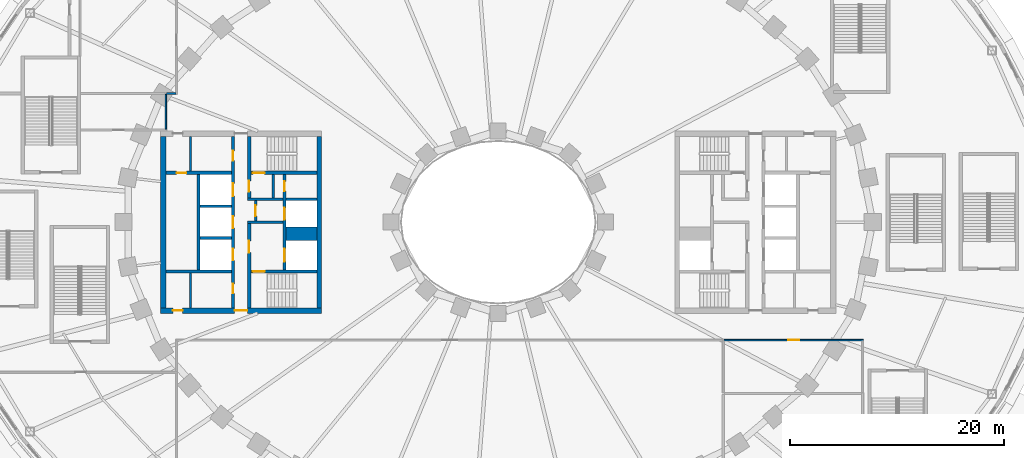
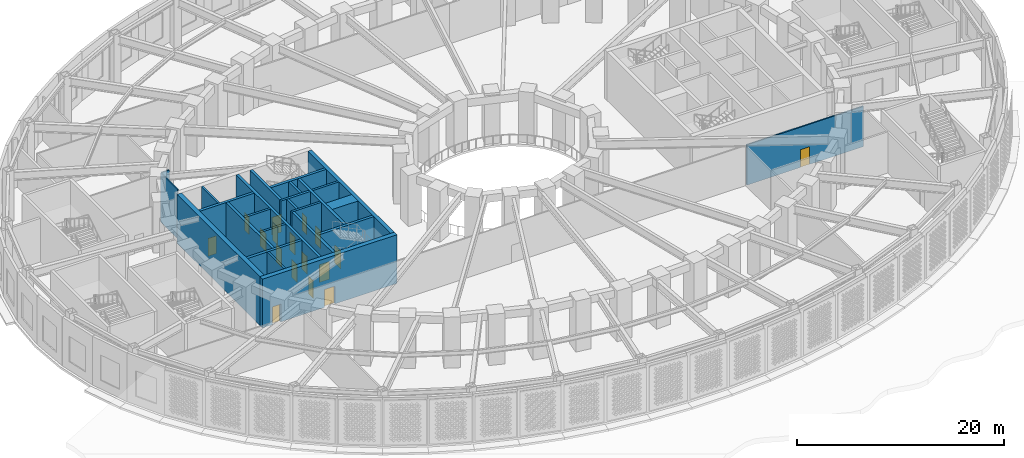
# One storey, part 23 of 74: 25 walls, 17 doors, 17 openings.
"""IFC4 building model written with IfcOpenShell, lengths in metres."""

import ifcopenshell
import ifcopenshell.guid

model = None  # the IFC model being written
_history = None  # IfcOwnerHistory: only IFC2X3 demands one
_inside = {}  # id of a spatial element -> (the spatial element, [elements in it])
_under = {}  # id of a project, library or spatial element -> (it, [spatial elements below it])
_declared = {}  # id of a project -> (the project, [libraries it declares])
_typed = {}  # id of a type object -> (the type object, [elements of that type])
_made_of = {}  # id of a material, layer set ... -> (it, [elements and type objects made of it])


def new_model(schema):
    """Start an empty IFC model of exactly this schema.

    Asked for "IFC4X3", IfcOpenShell would pick the latest addendum, in which some entities
    have other attributes; the version numbers below select the first issue.
    IFC2X3 requires an IfcOwnerHistory on every rooted entity: one is made here for all.
    """
    global model, _history
    if schema == "IFC4X3":
        model = ifcopenshell.file(schema_version=(4, 3, 0, 0))
    else:
        model = ifcopenshell.file(schema=schema)
    _inside.clear()
    _under.clear()
    _declared.clear()
    _typed.clear()
    _made_of.clear()
    _history = None
    if model.schema == "IFC2X3":
        org = make("IfcOrganization", Name="unknown")
        user = make(
            "IfcPersonAndOrganization",
            ThePerson=make("IfcPerson", FamilyName="unknown"),
            TheOrganization=org,
        )
        app = make(
            "IfcApplication",
            ApplicationDeveloper=org,
            Version="unknown",
            ApplicationFullName="unknown",
            ApplicationIdentifier="unknown",
        )
        _history = make(
            "IfcOwnerHistory",
            OwningUser=user,
            OwningApplication=app,
            ChangeAction="ADDED",
            CreationDate=0,
        )
    return model


def make(cls, **values):
    """One entity of the class cls with the attributes given. An attribute that is None is left unset."""
    return model.create_entity(
        cls, **{name: value for name, value in values.items() if value is not None}
    )


def rooted(cls, **values):
    """An entity with a GlobalId (a new one), such as an element, a storey or a relation."""
    return make(cls, GlobalId=ifcopenshell.guid.new(), OwnerHistory=_history, **values)


def si_unit(unit_type, name, prefix=None):
    """IfcSIUnit, for example si_unit("LENGTHUNIT", "METRE", prefix="MILLI")."""
    return make("IfcSIUnit", UnitType=unit_type, Prefix=prefix, Name=name)


def assignment(units):
    """IfcUnitAssignment: the units of a project."""
    return None if units is None else make("IfcUnitAssignment", Units=units)


def point(xyz):
    """IfcCartesianPoint."""
    return None if xyz is None else make("IfcCartesianPoint", Coordinates=xyz)


def direction(xyz):
    """IfcDirection."""
    return None if xyz is None else make("IfcDirection", DirectionRatios=xyz)


def frame(location, z_axis=None, x_axis=None):
    """IfcAxis2Placement3D, a coordinate frame: its origin and axes. An axis left out is left unset."""
    return make(
        "IfcAxis2Placement3D",
        Location=point(location),
        Axis=direction(z_axis),
        RefDirection=direction(x_axis),
    )


def frame_2d(location, x_axis=None):
    """IfcAxis2Placement2D, a coordinate frame in the plane: its origin and x axis."""
    return make(
        "IfcAxis2Placement2D", Location=point(location), RefDirection=direction(x_axis)
    )


def origin():
    """The frame at (0, 0, 0) with its axes left unset."""
    return frame((0.0, 0.0, 0.0))


def place(relative_to, where):
    """IfcLocalPlacement: puts the frame where relative to a parent placement (None: the world)."""
    return make(
        "IfcLocalPlacement", PlacementRelTo=relative_to, RelativePlacement=where
    )


def context(
    kind, dimensions, precision=None, world=None, true_north=None, identifier=None
):
    """IfcGeometricRepresentationContext, for example the 3D "Model" context."""
    return make(
        "IfcGeometricRepresentationContext",
        ContextIdentifier=identifier,
        ContextType=kind,
        CoordinateSpaceDimension=dimensions,
        Precision=precision,
        WorldCoordinateSystem=world,
        TrueNorth=true_north,
    )


def subcontext(parent, identifier, kind, view, scale=None):
    """IfcGeometricRepresentationSubContext, for example "Body" below "Model"."""
    return make(
        "IfcGeometricRepresentationSubContext",
        ContextIdentifier=identifier,
        ContextType=kind,
        ParentContext=parent,
        TargetScale=scale,
        TargetView=view,
    )


def project(units=None, contexts=None):
    """IfcProject with its units and contexts."""
    return rooted(
        "IfcProject",
        Name="project",
        RepresentationContexts=contexts,
        UnitsInContext=assignment(units),
    )


def spatial(cls, under=None, at=None, **own):
    """A site, building, storey or space (cls), placed at a placement, below another one or the project."""
    s = rooted(cls, ObjectPlacement=at, **own)
    if under is not None:
        _under.setdefault(under.id(), (under, []))[1].append(s)
    return s


def profile(cls, at=None, kind="AREA", **sizes):
    """A parametric profile (cls). Its sizes go by their IFC names, for example OverallWidth=200.0."""
    return make(cls, ProfileType=kind, Position=at, **sizes)


def rectangle(**sizes):
    """IfcRectangleProfileDef."""
    return profile("IfcRectangleProfileDef", **sizes)


def extrude(swept, where, along, depth):
    """IfcExtrudedAreaSolid: the profile swept, set in the frame where, extruded along a direction by depth."""
    return make(
        "IfcExtrudedAreaSolid",
        SweptArea=swept,
        Position=where,
        ExtrudedDirection=direction(along),
        Depth=depth,
    )


def shape(context_of_items, identifier, shape_type, items):
    """IfcShapeRepresentation: the items that make up one representation, for example the "Body"."""
    return make(
        "IfcShapeRepresentation",
        ContextOfItems=context_of_items,
        RepresentationIdentifier=identifier,
        RepresentationType=shape_type,
        Items=items,
    )


def material(Name=None, Category=None):
    """IfcMaterial."""
    return make("IfcMaterial", Name=Name, Category=Category)


def layer(
    of_material, thickness, ventilated=None, Name=None, Category=None, Priority=None
):
    """IfcMaterialLayer: one layer of a wall or slab, of a material (None: an air gap)."""
    return make(
        "IfcMaterialLayer",
        Material=of_material,
        LayerThickness=thickness,
        IsVentilated=ventilated,
        Name=Name,
        Category=Category,
        Priority=Priority,
    )


def layer_set(layers, Name=None):
    """IfcMaterialLayerSet."""
    return make("IfcMaterialLayerSet", MaterialLayers=layers, LayerSetName=Name)


def made_of(thing, what):
    """Note that an element or type object is made of a material, layer set ...; save() writes the relation."""
    if what is not None:
        _made_of.setdefault(what.id(), (what, []))[1].append(thing)
    return thing


def type_object(cls, material=None, **own):
    """A type object (cls), such as IfcWallType, which elements share."""
    return made_of(rooted(cls, **own), material)


def element(
    cls,
    number,
    at=None,
    inside=None,
    cuts=None,
    type_object=None,
    material=None,
    context=None,
    identifier="Body",
    shape_type=None,
    held_by="IfcProductDefinitionShape",
    body=None,
    shapes=None,
    **own,
):
    """One element of the class cls, such as IfcWall. Its Tag is "e" and its number.

    at: its placement. inside: the storey or other place that contains it. cuts: it is an
    opening in that element (IfcRelVoidsElement). A single representation is given by context,
    identifier, shape_type and body (its items); several are given by shapes. held_by: the class
    of the entity that holds the representations. save() writes the other relations.
    """
    e = rooted(cls, Tag="e%d" % number, ObjectPlacement=at, **own)
    if body is not None:
        shapes = [shape(context, identifier, shape_type, body)]
    if shapes is not None:
        e.Representation = make(held_by, Representations=shapes)
    if inside is not None:
        _inside.setdefault(inside.id(), (inside, []))[1].append(e)
    if cuts is not None:
        rooted(
            "IfcRelVoidsElement", RelatingBuildingElement=cuts, RelatedOpeningElement=e
        )
    if type_object is not None:
        _typed.setdefault(type_object.id(), (type_object, []))[1].append(e)
    return made_of(e, material)


def fill(opening, filler):
    """IfcRelFillsElement: the door or window that sits in an opening."""
    return rooted(
        "IfcRelFillsElement",
        RelatingOpeningElement=opening,
        RelatedBuildingElement=filler,
    )


def aggregate(whole, parts):
    """IfcRelAggregates: a whole, such as a stair, and the parts it consists of."""
    return rooted("IfcRelAggregates", RelatingObject=whole, RelatedObjects=parts)


def save(model, path):
    """Write the relations noted so far, then the file.

    IfcRelAggregates (storeys below a building ...), IfcRelContainedInSpatialStructure (elements
    in a storey), IfcRelDefinesByType, IfcRelAssociatesMaterial and IfcRelDeclares: one each for
    every whole, place, type object, material and project.
    """
    for whole, parts in _under.values():
        aggregate(whole, parts)
    for where, things in _inside.values():
        rooted(
            "IfcRelContainedInSpatialStructure",
            RelatedElements=things,
            RelatingStructure=where,
        )
    for kind, things in _typed.values():
        rooted("IfcRelDefinesByType", RelatedObjects=things, RelatingType=kind)
    for what, things in _made_of.values():
        rooted("IfcRelAssociatesMaterial", RelatedObjects=things, RelatingMaterial=what)
    for by, libraries in _declared.values():
        rooted("IfcRelDeclares", RelatingContext=by, RelatedDefinitions=libraries)
    model.write(path)


model = new_model("IFC4")

# Units and contexts
model_context = context("Model", 3, precision=1e-05, world=origin(), true_north=direction((0.0, 1.0)))
body_context = subcontext(model_context, "Body", "Model", "MODEL_VIEW")
ifc_project = project(units=[si_unit("LENGTHUNIT", "METRE"), si_unit("AREAUNIT", "SQUARE_METRE"), si_unit("VOLUMEUNIT", "CUBIC_METRE"), si_unit("PLANEANGLEUNIT", "RADIAN"), si_unit("MASSUNIT", "GRAM", prefix="KILO")], contexts=[model_context])

# Site, building, storey
site_placement = place(None, origin())
site = spatial("IfcSite", under=ifc_project, at=site_placement, CompositionType="ELEMENT")
building_placement = place(site_placement, origin())
building = spatial("IfcBuilding", under=site, at=building_placement, Name="Noorbagh Ring Tower", CompositionType="ELEMENT")
storey_placement = place(building_placement, frame((0.0, 0.0, 7.5)))
storey = spatial("IfcBuildingStorey", under=building, at=storey_placement, Name="L01", CompositionType="ELEMENT", Elevation=7.5)

# Walls
ifc_material_1 = material(Name="Gypsum board on steel studs", Category="steel")
ifc_layer_1 = layer(ifc_material_1, 0.199951171875)
ifc_layer_set_1 = layer_set([ifc_layer_1], Name="Gypsum board on steel studs")
wall_type_1 = type_object("IfcWallType", Name="CORE-PARTITION-200", PredefinedType="PARTITIONING", material=ifc_layer_set_1)
for number, where, z_axis, x_axis, name in (
    (1, (-28.699951171875, 4.75, 0.0), (0.0, 0.0, 1.0), (0.0, 1.0, 0.0), "Core partition W"),
    (2, (-28.699951171875, -8.0, 0.0), (0.0, 0.0, 1.0), (0.0, 1.0, 0.0), "Core partition W"),
):
    element("IfcWall", number, at=place(storey_placement, frame(where, z_axis=z_axis, x_axis=x_axis)), inside=storey, type_object=wall_type_1, Name=name, PredefinedType="PARTITIONING", context=body_context, shape_type="SweptSolid", body=[
        extrude(rectangle(XDim=3.25, YDim=0.199951171875, at=frame_2d((1.625, 0.0))), origin(), (0.0, 0.0, 1.0), 5.75),
    ])
ifc_material_2 = material(Name="Concrete C70/85", Category="concrete")
ifc_layer_2 = layer(ifc_material_2, 1.25)
ifc_layer_set_2 = layer_set([ifc_layer_2], Name="Concrete C70/85")
wall_type_2 = type_object("IfcWallType", Name="CORE-WALL-1250-C70-85-EI120", PredefinedType="SHEAR", material=ifc_layer_set_2)
wall_1_placement = place(storey_placement, frame((-16.89990234375, -1.074951171875, 0.0), z_axis=(0.0, 0.0, 1.0), x_axis=(-1.0, 0.0, 0.0)))
element("IfcWall", 3, at=wall_1_placement, inside=storey, type_object=wall_type_2, Name="Core wall W", PredefinedType="SHEAR", context=body_context, shape_type="SweptSolid", body=[
    extrude(rectangle(XDim=2.900146484375, YDim=1.25, at=frame_2d((1.4501953125, 0.0))), origin(), (0.0, 0.0, 1.0), 5.75),
])
ifc_material_3 = material(Name="Concrete C70/85", Category="concrete")
ifc_layer_3 = layer(ifc_material_3, 0.25)
ifc_layer_set_3 = layer_set([ifc_layer_3], Name="Concrete C70/85")
wall_type_3 = type_object("IfcWallType", Name="CORE-WALL-250-C70-85-EI120", PredefinedType="SHEAR", material=ifc_layer_set_3)
for number, where, z_axis, x_axis, name in (
    (4, (-16.89990234375, 2.125, 0.0), (0.0, 0.0, 1.0), (-1.0, 0.0, 0.0), "Core wall W"),
    (5, (-24.89990234375, -1.47509765625, 0.0), (0.0, 0.0, 1.0), (-1.0, 0.0, 0.0), "Core wall W"),
    (6, (-24.89990234375, 1.47509765625, 0.0), (0.0, 0.0, 1.0), (-1.0, 0.0, 0.0), "Core wall W"),
):
    element("IfcWall", number, at=place(storey_placement, frame(where, z_axis=z_axis, x_axis=x_axis)), inside=storey, type_object=wall_type_3, Name=name, PredefinedType="SHEAR", context=body_context, shape_type="SweptSolid", body=[
        extrude(rectangle(XDim=2.900146484375, YDim=0.25, at=frame_2d((1.4501953125, 0.0))), origin(), (0.0, 0.0, 1.0), 5.75),
    ])
ifc_material_4 = material(Name="Concrete C70/85", Category="concrete")
ifc_layer_4 = layer(ifc_material_4, 0.25)
ifc_layer_set_4 = layer_set([ifc_layer_4], Name="Concrete C70/85")
wall_type_4 = type_object("IfcWallType", Name="CORE-WALL-250-C70-85-EI240", PredefinedType="SHEAR", material=ifc_layer_set_4)
wall_2_placement = place(storey_placement, frame((-20.10009765625, 0.0, 0.0), z_axis=(0.0, 0.0, 1.0), x_axis=(-1.0, 0.0, 0.0)))
element("IfcWall", 7, at=wall_2_placement, inside=storey, type_object=wall_type_4, Name="Core wall W", PredefinedType="SHEAR", context=body_context, shape_type="SweptSolid", body=[
    extrude(rectangle(XDim=3.27978515625, YDim=0.25, at=frame_2d((1.639892578125, 0.0))), origin(), (0.0, 0.0, 1.0), 5.75),
])

# Wall, opening, door
wall_3_placement = place(storey_placement, frame((-22.625, 0.125, 0.0), z_axis=(0.0, 0.0, 1.0), x_axis=(0.0, 1.0, 0.0)))
wall_3 = element("IfcWall", 8, at=wall_3_placement, inside=storey, type_object=wall_type_4, Name="Core wall W", PredefinedType="SHEAR", context=body_context, shape_type="SweptSolid", body=[
    extrude(rectangle(XDim=1.875, YDim=0.25, at=frame_2d((0.9375, 0.0))), origin(), (0.0, 0.0, 1.0), 5.75),
])
opening_1_placement = place(wall_3_placement, frame((0.43505859375, 0.0, 0.0)))
opening_1 = element("IfcOpeningElement", 9, at=opening_1_placement, cuts=wall_3, Name="Opening L01-CW10", PredefinedType="OPENING", context=body_context, shape_type="SweptSolid", body=[
    extrude(rectangle(XDim=1.0, YDim=2.10009765625, at=frame_2d((0.5, 1.050048828125))), frame((0.0, 0.135009765625, 0.0), z_axis=(0.0, -1.0, 0.0), x_axis=(1.0, 0.0, 0.0)), (0.0, 0.0, 1.0), 0.27001953125),
])
ifc_material_5 = material(Name="Steel door leaf", Category="steel")
door_type_1 = type_object("IfcDoorType", Name="CORE-DOOR-DVEST", OperationType="SINGLE_SWING_LEFT", PredefinedType="DOOR", material=ifc_material_5)
door_1_placement = place(opening_1_placement, origin())
door_1 = element("IfcDoor", 10, at=door_1_placement, inside=storey, type_object=door_type_1, Name="Observation lift lobby door L01-CW10", OperationType="SINGLE_SWING_LEFT", OverallHeight=2.10009765625, OverallWidth=1.0, PredefinedType="DOOR", context=body_context, shape_type="SweptSolid", body=[
    extrude(rectangle(XDim=1.0, YDim=2.10009765625, at=frame_2d((0.5, 1.050048828125))), frame((0.0, 0.02490234375, 0.0), z_axis=(0.0, -1.0, 0.0), x_axis=(1.0, 0.0, 0.0)), (0.0, 0.0, 1.0), 0.050048828125),
])
fill(opening_1, door_1)

# Walls
wall_4_placement = place(storey_placement, frame((-20.10009765625, 2.125, 0.0), z_axis=(0.0, 0.0, 1.0), x_axis=(-1.0, 0.0, 0.0)))
element("IfcWall", 11, at=wall_4_placement, inside=storey, type_object=wall_type_4, Name="Core wall W", PredefinedType="SHEAR", context=body_context, shape_type="SweptSolid", body=[
    extrude(rectangle(XDim=3.27978515625, YDim=0.25, at=frame_2d((1.639892578125, 0.0))), origin(), (0.0, 0.0, 1.0), 5.75),
])
wall_5_placement = place(storey_placement, frame((-20.97509765625, 2.25, 0.0), z_axis=(0.0, 0.0, 1.0), x_axis=(0.0, 1.0, 0.0)))
element("IfcWall", 12, at=wall_5_placement, inside=storey, type_object=wall_type_4, Name="Core wall W", PredefinedType="SHEAR", context=body_context, shape_type="SweptSolid", body=[
    extrude(rectangle(XDim=2.199951171875, YDim=0.25, at=frame_2d((1.10009765625, 0.0))), origin(), (0.0, 0.0, 1.0), 5.75),
])
ifc_material_6 = material(Name="Concrete C70/85", Category="concrete")
ifc_layer_5 = layer(ifc_material_6, 0.300048828125)
ifc_layer_set_5 = layer_set([ifc_layer_5], Name="Concrete C70/85")
wall_type_5 = type_object("IfcWallType", Name="CORE-WALL-300-C70-85-EI120", PredefinedType="SHEAR", material=ifc_layer_set_5)
wall_6_placement = place(storey_placement, frame((-27.949951171875, -4.449951171875, 0.0), z_axis=(0.0, 0.0, 1.0), x_axis=(0.0, 1.0, 0.0)))
element("IfcWall", 13, at=wall_6_placement, inside=storey, type_object=wall_type_5, Name="Core wall W", PredefinedType="SHEAR", context=body_context, shape_type="SweptSolid", body=[
    extrude(rectangle(XDim=8.89990234375, YDim=0.300048828125, at=frame_2d((4.449951171875, 0.0))), origin(), (0.0, 0.0, 1.0), 5.75),
])

# Wall, openings, doors
wall_7_placement = place(storey_placement, frame((-19.949951171875, -4.449951171875, 0.0), z_axis=(0.0, 0.0, 1.0), x_axis=(0.0, 1.0, 0.0)))
wall_7 = element("IfcWall", 14, at=wall_7_placement, inside=storey, type_object=wall_type_5, Name="Core wall W", PredefinedType="SHEAR", context=body_context, shape_type="SweptSolid", body=[
    extrude(rectangle(XDim=8.89990234375, YDim=0.300048828125, at=frame_2d((4.449951171875, 0.0))), origin(), (0.0, 0.0, 1.0), 5.75),
])
opening_2_placement = place(wall_7_placement, frame((0.77490234375, 0.0, 0.0)))
opening_2 = element("IfcOpeningElement", 15, at=opening_2_placement, cuts=wall_7, Name="Opening L01-CW01", PredefinedType="OPENING", context=body_context, shape_type="SweptSolid", body=[
    extrude(rectangle(XDim=1.199951171875, YDim=2.10009765625, at=frame_2d((0.60009765625, 1.050048828125))), frame((0.0, 0.16015625, 0.0), z_axis=(0.0, -1.0, 0.0), x_axis=(1.0, 0.0, 0.0)), (0.0, 0.0, 1.0), 0.320068359375),
])
opening_3_placement = place(wall_7_placement, frame((4.675048828125, 0.0, 0.0)))
opening_3 = element("IfcOpeningElement", 16, at=opening_3_placement, cuts=wall_7, Name="Opening L01-CW02", PredefinedType="OPENING", context=body_context, shape_type="SweptSolid", body=[
    extrude(rectangle(XDim=1.10009765625, YDim=2.10009765625, at=frame_2d((0.550048828125, 1.050048828125))), frame((0.0, 0.16015625, 0.0), z_axis=(0.0, -1.0, 0.0), x_axis=(1.0, 0.0, 0.0)), (0.0, 0.0, 1.0), 0.320068359375),
])
opening_4_placement = place(wall_7_placement, frame((7.35009765625, 0.0, 0.0)))
opening_4 = element("IfcOpeningElement", 17, at=opening_4_placement, cuts=wall_7, Name="Opening L01-CW13", PredefinedType="OPENING", context=body_context, shape_type="SweptSolid", body=[
    extrude(rectangle(XDim=0.89990234375, YDim=2.10009765625, at=frame_2d((0.449951171875, 1.050048828125))), frame((0.0, 0.16015625, 0.0), z_axis=(0.0, -1.0, 0.0), x_axis=(1.0, 0.0, 0.0)), (0.0, 0.0, 1.0), 0.320068359375),
])
ifc_material_7 = material(Name="Steel door leaf", Category="steel")
door_type_2 = type_object("IfcDoorType", Name="CORE-DOOR-DROOM", OperationType="SINGLE_SWING_LEFT", PredefinedType="DOOR", material=ifc_material_7)
door_2_placement = place(opening_4_placement, origin())
door_2 = element("IfcDoor", 18, at=door_2_placement, inside=storey, type_object=door_type_2, Name="Core room door L01-CW13", OperationType="SINGLE_SWING_LEFT", OverallHeight=2.10009765625, OverallWidth=0.89990234375, PredefinedType="DOOR", context=body_context, shape_type="SweptSolid", body=[
    extrude(rectangle(XDim=0.89990234375, YDim=2.10009765625, at=frame_2d((0.449951171875, 1.050048828125))), frame((0.0, 0.02490234375, 0.0), z_axis=(0.0, -1.0, 0.0), x_axis=(1.0, 0.0, 0.0)), (0.0, 0.0, 1.0), 0.050048828125),
])
fill(opening_4, door_2)
ifc_material_8 = material(Name="Steel door leaf", Category="steel")
door_type_3 = type_object("IfcDoorType", Name="CORE-DOOR-LD", OperationType="DOUBLE_DOOR_SLIDING", PredefinedType="DOOR", material=ifc_material_8)
door_3_placement = place(opening_3_placement, origin())
door_3 = element("IfcDoor", 19, at=door_3_placement, inside=storey, type_object=door_type_3, Name="Landing door OB1 L01-CW02", OperationType="DOUBLE_DOOR_SLIDING", OverallHeight=2.10009765625, OverallWidth=1.10009765625, PredefinedType="DOOR", context=body_context, shape_type="SweptSolid", body=[
    extrude(rectangle(XDim=1.10009765625, YDim=2.10009765625, at=frame_2d((0.550048828125, 1.050048828125))), frame((0.0, 0.02490234375, 0.0), z_axis=(0.0, -1.0, 0.0), x_axis=(1.0, 0.0, 0.0)), (0.0, 0.0, 1.0), 0.050048828125),
])
fill(opening_3, door_3)
ifc_material_9 = material(Name="Steel door leaf", Category="steel")
door_type_4 = type_object("IfcDoorType", Name="CORE-DOOR-LDW", OperationType="DOUBLE_DOOR_SLIDING", PredefinedType="DOOR", material=ifc_material_9)
door_4_placement = place(opening_2_placement, origin())
door_4 = element("IfcDoor", 20, at=door_4_placement, inside=storey, type_object=door_type_4, Name="Landing door FF1 L01-CW01", OperationType="DOUBLE_DOOR_SLIDING", OverallHeight=2.10009765625, OverallWidth=1.199951171875, PredefinedType="DOOR", context=body_context, shape_type="SweptSolid", body=[
    extrude(rectangle(XDim=1.199951171875, YDim=2.10009765625, at=frame_2d((0.60009765625, 1.050048828125))), frame((0.0, 0.02490234375, 0.0), z_axis=(0.0, -1.0, 0.0), x_axis=(1.0, 0.0, 0.0)), (0.0, 0.0, 1.0), 0.050048828125),
])
fill(opening_2, door_4)

wall_8_placement = place(storey_placement, frame((-24.75, -8.0, 0.0), z_axis=(0.0, 0.0, 1.0), x_axis=(0.0, 1.0, 0.0)))
wall_8 = element("IfcWall", 21, at=wall_8_placement, inside=storey, type_object=wall_type_5, Name="Core wall W", PredefinedType="SHEAR", context=body_context, shape_type="SweptSolid", body=[
    extrude(rectangle(XDim=16.0, YDim=0.300048828125, at=frame_2d((8.0, 0.0))), origin(), (0.0, 0.0, 1.0), 5.75),
])
opening_5_placement = place(wall_8_placement, frame((4.425048828125, 0.0, 0.0)))
opening_5 = element("IfcOpeningElement", 22, at=opening_5_placement, cuts=wall_8, Name="Opening L01-CW03", PredefinedType="OPENING", context=body_context, shape_type="SweptSolid", body=[
    extrude(rectangle(XDim=1.10009765625, YDim=2.10009765625, at=frame_2d((0.550048828125, 1.050048828125))), frame((0.0, 0.16015625, 0.0), z_axis=(0.0, -1.0, 0.0), x_axis=(1.0, 0.0, 0.0)), (0.0, 0.0, 1.0), 0.320068359375),
])
opening_6_placement = place(wall_8_placement, frame((7.449951171875, 0.0, 0.0)))
opening_6 = element("IfcOpeningElement", 23, at=opening_6_placement, cuts=wall_8, Name="Opening L01-CW04", PredefinedType="OPENING", context=body_context, shape_type="SweptSolid", body=[
    extrude(rectangle(XDim=1.10009765625, YDim=2.10009765625, at=frame_2d((0.550048828125, 1.050048828125))), frame((0.0, 0.16015625, 0.0), z_axis=(0.0, -1.0, 0.0), x_axis=(1.0, 0.0, 0.0)), (0.0, 0.0, 1.0), 0.320068359375),
])
opening_7_placement = place(wall_8_placement, frame((10.425048828125, 0.0, 0.0)))
opening_7 = element("IfcOpeningElement", 24, at=opening_7_placement, cuts=wall_8, Name="Opening L01-CW05", PredefinedType="OPENING", context=body_context, shape_type="SweptSolid", body=[
    extrude(rectangle(XDim=1.199951171875, YDim=2.10009765625, at=frame_2d((0.60009765625, 1.050048828125))), frame((0.0, 0.16015625, 0.0), z_axis=(0.0, -1.0, 0.0), x_axis=(1.0, 0.0, 0.0)), (0.0, 0.0, 1.0), 0.320068359375),
])
opening_8_placement = place(wall_8_placement, frame((13.75, 0.0, 0.0)))
opening_8 = element("IfcOpeningElement", 25, at=opening_8_placement, cuts=wall_8, Name="Opening L01-CW14", PredefinedType="OPENING", context=body_context, shape_type="SweptSolid", body=[
    extrude(rectangle(XDim=0.89990234375, YDim=2.10009765625, at=frame_2d((0.449951171875, 1.050048828125))), frame((0.0, 0.16015625, 0.0), z_axis=(0.0, -1.0, 0.0), x_axis=(1.0, 0.0, 0.0)), (0.0, 0.0, 1.0), 0.320068359375),
])
opening_9_placement = place(wall_8_placement, frame((1.35009765625, 0.0, 0.0)))
opening_9 = element("IfcOpeningElement", 26, at=opening_9_placement, cuts=wall_8, Name="Opening L01-CW16", PredefinedType="OPENING", context=body_context, shape_type="SweptSolid", body=[
    extrude(rectangle(XDim=0.89990234375, YDim=2.10009765625, at=frame_2d((0.449951171875, 1.050048828125))), frame((0.0, 0.16015625, 0.0), z_axis=(0.0, -1.0, 0.0), x_axis=(1.0, 0.0, 0.0)), (0.0, 0.0, 1.0), 0.320068359375),
])
door_5_placement = place(opening_8_placement, origin())
door_5 = element("IfcDoor", 27, at=door_5_placement, inside=storey, type_object=door_type_2, Name="Core room door L01-CW14", OperationType="SINGLE_SWING_RIGHT", OverallHeight=2.10009765625, OverallWidth=0.89990234375, PredefinedType="DOOR", context=body_context, shape_type="SweptSolid", body=[
    extrude(rectangle(XDim=0.89990234375, YDim=2.10009765625, at=frame_2d((0.449951171875, 1.050048828125))), frame((0.0, 0.02490234375, 0.0), z_axis=(0.0, -1.0, 0.0), x_axis=(1.0, 0.0, 0.0)), (0.0, 0.0, 1.0), 0.050048828125),
])
fill(opening_8, door_5)
door_6_placement = place(opening_9_placement, origin())
door_6 = element("IfcDoor", 28, at=door_6_placement, inside=storey, type_object=door_type_2, Name="Core room door L01-CW16", OperationType="SINGLE_SWING_LEFT", OverallHeight=2.10009765625, OverallWidth=0.89990234375, PredefinedType="DOOR", context=body_context, shape_type="SweptSolid", body=[
    extrude(rectangle(XDim=0.89990234375, YDim=2.10009765625, at=frame_2d((0.449951171875, 1.050048828125))), frame((0.0, 0.02490234375, 0.0), z_axis=(0.0, -1.0, 0.0), x_axis=(1.0, 0.0, 0.0)), (0.0, 0.0, 1.0), 0.050048828125),
])
fill(opening_9, door_6)
door_7_placement = place(opening_5_placement, origin())
door_7 = element("IfcDoor", 29, at=door_7_placement, inside=storey, type_object=door_type_3, Name="Landing door LR1 L01-CW03", OperationType="DOUBLE_DOOR_SLIDING", OverallHeight=2.10009765625, OverallWidth=1.10009765625, PredefinedType="DOOR", context=body_context, shape_type="SweptSolid", body=[
    extrude(rectangle(XDim=1.10009765625, YDim=2.10009765625, at=frame_2d((0.550048828125, 1.050048828125))), frame((0.0, 0.02490234375, 0.0), z_axis=(0.0, -1.0, 0.0), x_axis=(1.0, 0.0, 0.0)), (0.0, 0.0, 1.0), 0.050048828125),
])
fill(opening_5, door_7)
door_8_placement = place(opening_6_placement, origin())
door_8 = element("IfcDoor", 30, at=door_8_placement, inside=storey, type_object=door_type_3, Name="Landing door LR2 L01-CW04", OperationType="DOUBLE_DOOR_SLIDING", OverallHeight=2.10009765625, OverallWidth=1.10009765625, PredefinedType="DOOR", context=body_context, shape_type="SweptSolid", body=[
    extrude(rectangle(XDim=1.10009765625, YDim=2.10009765625, at=frame_2d((0.550048828125, 1.050048828125))), frame((0.0, 0.02490234375, 0.0), z_axis=(0.0, -1.0, 0.0), x_axis=(1.0, 0.0, 0.0)), (0.0, 0.0, 1.0), 0.050048828125),
])
fill(opening_6, door_8)
door_9_placement = place(opening_7_placement, origin())
door_9 = element("IfcDoor", 31, at=door_9_placement, inside=storey, type_object=door_type_4, Name="Landing door SV1 L01-CW05", OperationType="DOUBLE_DOOR_SLIDING", OverallHeight=2.10009765625, OverallWidth=1.199951171875, PredefinedType="DOOR", context=body_context, shape_type="SweptSolid", body=[
    extrude(rectangle(XDim=1.199951171875, YDim=2.10009765625, at=frame_2d((0.60009765625, 1.050048828125))), frame((0.0, 0.02490234375, 0.0), z_axis=(0.0, -1.0, 0.0), x_axis=(1.0, 0.0, 0.0)), (0.0, 0.0, 1.0), 0.050048828125),
])
fill(opening_7, door_9)

# Wall, opening, door
ifc_material_10 = material(Name="Concrete C70/85", Category="concrete")
ifc_layer_6 = layer(ifc_material_10, 0.300048828125)
ifc_layer_set_6 = layer_set([ifc_layer_6], Name="Concrete C70/85")
wall_type_6 = type_object("IfcWallType", Name="CORE-WALL-300-C70-85-EI240", PredefinedType="SHEAR", material=ifc_layer_set_6)
wall_9_placement = place(storey_placement, frame((-24.89990234375, 4.60009765625, 0.0), z_axis=(0.0, 0.0, 1.0), x_axis=(-1.0, 0.0, 0.0)))
wall_9 = element("IfcWall", 32, at=wall_9_placement, inside=storey, type_object=wall_type_6, Name="Core wall W", PredefinedType="SHEAR", context=body_context, shape_type="SweptSolid", body=[
    extrude(rectangle(XDim=6.10009765625, YDim=0.300048828125, at=frame_2d((3.050048828125, 0.0))), origin(), (0.0, 0.0, 1.0), 5.75),
])
opening_10_placement = place(wall_9_placement, frame((4.199951171875, 0.0, 0.0)))
opening_10 = element("IfcOpeningElement", 33, at=opening_10_placement, cuts=wall_9, Name="Opening L01-CW18", PredefinedType="OPENING", context=body_context, shape_type="SweptSolid", body=[
    extrude(rectangle(XDim=0.89990234375, YDim=2.10009765625, at=frame_2d((0.449951171875, 1.050048828125))), frame((0.0, 0.16015625, 0.0), z_axis=(0.0, -1.0, 0.0), x_axis=(1.0, 0.0, 0.0)), (0.0, 0.0, 1.0), 0.320068359375),
])
door_10_placement = place(opening_10_placement, origin())
door_10 = element("IfcDoor", 34, at=door_10_placement, inside=storey, type_object=door_type_2, Name="Core room door L01-CW18", OperationType="SINGLE_SWING_LEFT", OverallHeight=2.10009765625, OverallWidth=0.89990234375, PredefinedType="DOOR", context=body_context, shape_type="SweptSolid", body=[
    extrude(rectangle(XDim=0.89990234375, YDim=2.10009765625, at=frame_2d((0.449951171875, 1.050048828125))), frame((0.0, 0.02490234375, 0.0), z_axis=(0.0, -1.0, 0.0), x_axis=(1.0, 0.0, 0.0)), (0.0, 0.0, 1.0), 0.050048828125),
])
fill(opening_10, door_10)

# Wall
wall_10_placement = place(storey_placement, frame((-24.89990234375, -4.60009765625, 0.0), z_axis=(0.0, 0.0, 1.0), x_axis=(-1.0, 0.0, 0.0)))
element("IfcWall", 35, at=wall_10_placement, inside=storey, type_object=wall_type_6, Name="Core wall W", PredefinedType="SHEAR", context=body_context, shape_type="SweptSolid", body=[
    extrude(rectangle(XDim=6.10009765625, YDim=0.300048828125, at=frame_2d((3.050048828125, 0.0))), origin(), (0.0, 0.0, 1.0), 5.75),
])

# Wall, opening, door
wall_11_placement = place(storey_placement, frame((-23.22998046875, 2.25, 0.0), z_axis=(0.0, 0.0, 1.0), x_axis=(0.0, 1.0, 0.0)))
wall_11 = element("IfcWall", 36, at=wall_11_placement, inside=storey, type_object=wall_type_6, Name="Core wall W", PredefinedType="SHEAR", context=body_context, shape_type="SweptSolid", body=[
    extrude(rectangle(XDim=5.75, YDim=0.300048828125, at=frame_2d((2.875, 0.0))), origin(), (0.0, 0.0, 1.0), 5.75),
])
opening_11_placement = place(wall_11_placement, frame((0.60009765625, 0.0, 0.0)))
opening_11 = element("IfcOpeningElement", 37, at=opening_11_placement, cuts=wall_11, Name="Opening L01-CW09", PredefinedType="OPENING", context=body_context, shape_type="SweptSolid", body=[
    extrude(rectangle(XDim=1.0, YDim=2.10009765625, at=frame_2d((0.5, 1.050048828125))), frame((0.0, 0.16015625, 0.0), z_axis=(0.0, -1.0, 0.0), x_axis=(1.0, 0.0, 0.0)), (0.0, 0.0, 1.0), 0.320068359375),
])
door_11_placement = place(opening_11_placement, origin())
door_11 = element("IfcDoor", 38, at=door_11_placement, inside=storey, type_object=door_type_1, Name="Stair vestibule door L01-CW09", OperationType="SINGLE_SWING_LEFT", OverallHeight=2.10009765625, OverallWidth=1.0, PredefinedType="DOOR", context=body_context, shape_type="SweptSolid", body=[
    extrude(rectangle(XDim=1.0, YDim=2.10009765625, at=frame_2d((0.5, 1.050048828125))), frame((0.0, 0.02490234375, 0.0), z_axis=(0.0, -1.0, 0.0), x_axis=(1.0, 0.0, 0.0)), (0.0, 0.0, 1.0), 0.050048828125),
])
fill(opening_11, door_11)

wall_12_placement = place(storey_placement, frame((-23.22998046875, -8.0, 0.0), z_axis=(0.0, 0.0, 1.0), x_axis=(0.0, 1.0, 0.0)))
wall_12 = element("IfcWall", 39, at=wall_12_placement, inside=storey, type_object=wall_type_6, Name="Core wall W", PredefinedType="SHEAR", context=body_context, shape_type="SweptSolid", body=[
    extrude(rectangle(XDim=7.875, YDim=0.300048828125, at=frame_2d((3.9375, 0.0))), origin(), (0.0, 0.0, 1.0), 5.75),
])
opening_12_placement = place(wall_12_placement, frame((5.14990234375, 0.0, 0.0)))
opening_12 = element("IfcOpeningElement", 40, at=opening_12_placement, cuts=wall_12, Name="Opening L01-CW08", PredefinedType="OPENING", context=body_context, shape_type="SweptSolid", body=[
    extrude(rectangle(XDim=1.10009765625, YDim=2.10009765625, at=frame_2d((0.550048828125, 1.050048828125))), frame((0.0, 0.16015625, 0.0), z_axis=(0.0, -1.0, 0.0), x_axis=(1.0, 0.0, 0.0)), (0.0, 0.0, 1.0), 0.320068359375),
])
ifc_material_11 = material(Name="Steel door leaf", Category="steel")
door_type_5 = type_object("IfcDoorType", Name="CORE-DOOR-DFF", OperationType="SINGLE_SWING_LEFT", PredefinedType="DOOR", material=ifc_material_11)
door_12_placement = place(opening_12_placement, origin())
door_12 = element("IfcDoor", 41, at=door_12_placement, inside=storey, type_object=door_type_5, Name="Firefighting lobby door L01-CW08", OperationType="SINGLE_SWING_LEFT", OverallHeight=2.10009765625, OverallWidth=1.10009765625, PredefinedType="DOOR", context=body_context, shape_type="SweptSolid", body=[
    extrude(rectangle(XDim=1.10009765625, YDim=2.10009765625, at=frame_2d((0.550048828125, 1.050048828125))), frame((0.0, 0.02490234375, 0.0), z_axis=(0.0, -1.0, 0.0), x_axis=(1.0, 0.0, 0.0)), (0.0, 0.0, 1.0), 0.050048828125),
])
fill(opening_12, door_12)

wall_13_placement = place(storey_placement, frame((-16.89990234375, 4.60009765625, 0.0), z_axis=(0.0, 0.0, 1.0), x_axis=(-1.0, 0.0, 0.0)))
wall_13 = element("IfcWall", 42, at=wall_13_placement, inside=storey, type_object=wall_type_6, Name="Core wall W", PredefinedType="SHEAR", context=body_context, shape_type="SweptSolid", body=[
    extrude(rectangle(XDim=6.18017578125, YDim=0.300048828125, at=frame_2d((3.090087890625, 0.0))), origin(), (0.0, 0.0, 1.0), 5.75),
])
opening_13_placement = place(wall_13_placement, frame((4.89990234375, 0.0, 0.0)))
opening_13 = element("IfcOpeningElement", 43, at=opening_13_placement, cuts=wall_13, Name="Opening L01-CW06", PredefinedType="OPENING", context=body_context, shape_type="SweptSolid", body=[
    extrude(rectangle(XDim=1.10009765625, YDim=2.10009765625, at=frame_2d((0.550048828125, 1.050048828125))), frame((0.0, 0.16015625, 0.0), z_axis=(0.0, -1.0, 0.0), x_axis=(1.0, 0.0, 0.0)), (0.0, 0.0, 1.0), 0.320068359375),
])
ifc_material_12 = material(Name="Steel door leaf", Category="steel")
door_type_6 = type_object("IfcDoorType", Name="CORE-DOOR-DSTAIR", OperationType="SINGLE_SWING_LEFT", PredefinedType="DOOR", material=ifc_material_12)
door_13_placement = place(opening_13_placement, origin())
door_13 = element("IfcDoor", 44, at=door_13_placement, inside=storey, type_object=door_type_6, Name="Stair door ST1 L01-CW06", OperationType="SINGLE_SWING_RIGHT", OverallHeight=2.10009765625, OverallWidth=1.10009765625, PredefinedType="DOOR", context=body_context, shape_type="SweptSolid", body=[
    extrude(rectangle(XDim=1.10009765625, YDim=2.10009765625, at=frame_2d((0.550048828125, 1.050048828125))), frame((0.0, 0.02490234375, 0.0), z_axis=(0.0, -1.0, 0.0), x_axis=(1.0, 0.0, 0.0)), (0.0, 0.0, 1.0), 0.050048828125),
])
fill(opening_13, door_13)

wall_14_placement = place(storey_placement, frame((-16.89990234375, -4.60009765625, 0.0), z_axis=(0.0, 0.0, 1.0), x_axis=(-1.0, 0.0, 0.0)))
wall_14 = element("IfcWall", 45, at=wall_14_placement, inside=storey, type_object=wall_type_6, Name="Core wall W", PredefinedType="SHEAR", context=body_context, shape_type="SweptSolid", body=[
    extrude(rectangle(XDim=6.18017578125, YDim=0.300048828125, at=frame_2d((3.090087890625, 0.0))), origin(), (0.0, 0.0, 1.0), 5.75),
])
opening_14_placement = place(wall_14_placement, frame((4.89990234375, 0.0, 0.0)))
opening_14 = element("IfcOpeningElement", 46, at=opening_14_placement, cuts=wall_14, Name="Opening L01-CW07", PredefinedType="OPENING", context=body_context, shape_type="SweptSolid", body=[
    extrude(rectangle(XDim=1.10009765625, YDim=2.10009765625, at=frame_2d((0.550048828125, 1.050048828125))), frame((0.0, 0.16015625, 0.0), z_axis=(0.0, -1.0, 0.0), x_axis=(1.0, 0.0, 0.0)), (0.0, 0.0, 1.0), 0.320068359375),
])
door_14_placement = place(opening_14_placement, origin())
door_14 = element("IfcDoor", 47, at=door_14_placement, inside=storey, type_object=door_type_6, Name="Stair door ST2 L01-CW07", OperationType="SINGLE_SWING_LEFT", OverallHeight=2.10009765625, OverallWidth=1.10009765625, PredefinedType="DOOR", context=body_context, shape_type="SweptSolid", body=[
    extrude(rectangle(XDim=1.10009765625, YDim=2.10009765625, at=frame_2d((0.550048828125, 1.050048828125))), frame((0.0, 0.02490234375, 0.0), z_axis=(0.0, -1.0, 0.0), x_axis=(1.0, 0.0, 0.0)), (0.0, 0.0, 1.0), 0.050048828125),
])
fill(opening_14, door_14)

# Wall
ifc_material_13 = material(Name="Concrete C70/85", Category="concrete")
ifc_layer_7 = layer(ifc_material_13, 0.39990234375)
ifc_layer_set_7 = layer_set([ifc_layer_7], Name="Concrete C70/85")
wall_type_7 = type_object("IfcWallType", Name="CORE-WALL-400-C70-85-EI240", PredefinedType="SHEAR", material=ifc_layer_set_7)
wall_15_placement = place(storey_placement, frame((-16.699951171875, -8.0, 0.0), z_axis=(0.0, 0.0, 1.0), x_axis=(0.0, 1.0, 0.0)))
element("IfcWall", 48, at=wall_15_placement, inside=storey, type_object=wall_type_7, Name="Core wall W", PredefinedType="SHEAR", context=body_context, shape_type="SweptSolid", body=[
    extrude(rectangle(XDim=16.0, YDim=0.39990234375, at=frame_2d((8.0, 0.0))), origin(), (0.0, 0.0, 1.0), 5.75),
])

# Wall, openings, doors
ifc_material_14 = material(Name="Concrete C70/85", Category="concrete")
ifc_layer_8 = layer(ifc_material_14, 0.5)
ifc_layer_set_8 = layer_set([ifc_layer_8], Name="Concrete C70/85")
wall_type_8 = type_object("IfcWallType", Name="CORE-WALL-500-C70-85-EI240", PredefinedType="SHEAR", material=ifc_layer_set_8)
wall_16_placement = place(storey_placement, frame((-16.5, -8.25, 0.0), z_axis=(0.0, 0.0, 1.0), x_axis=(-1.0, 0.0, 0.0)))
wall_16 = element("IfcWall", 49, at=wall_16_placement, inside=storey, type_object=wall_type_8, Name="Core wall W", PredefinedType="SHEAR", context=body_context, shape_type="SweptSolid", body=[
    extrude(rectangle(XDim=15.0, YDim=0.5, at=frame_2d((7.5, 0.0))), origin(), (0.0, 0.0, 1.0), 5.75),
])
opening_15_placement = place(wall_16_placement, frame((6.89990234375, 0.0, 0.0)))
opening_15 = element("IfcOpeningElement", 50, at=opening_15_placement, cuts=wall_16, Name="Opening L01-CW12", PredefinedType="OPENING", context=body_context, shape_type="SweptSolid", body=[
    extrude(rectangle(XDim=1.199951171875, YDim=2.10009765625, at=frame_2d((0.60009765625, 1.050048828125))), frame((0.0, 0.260009765625, 0.0), z_axis=(0.0, -1.0, 0.0), x_axis=(1.0, 0.0, 0.0)), (0.0, 0.0, 1.0), 0.52001953125),
])
opening_16_placement = place(wall_16_placement, frame((12.949951171875, 0.0, 0.0)))
opening_16 = element("IfcOpeningElement", 51, at=opening_16_placement, cuts=wall_16, Name="Opening L01-CW17", PredefinedType="OPENING", context=body_context, shape_type="SweptSolid", body=[
    extrude(rectangle(XDim=0.89990234375, YDim=2.10009765625, at=frame_2d((0.449951171875, 1.050048828125))), frame((0.0, 0.260009765625, 0.0), z_axis=(0.0, -1.0, 0.0), x_axis=(1.0, 0.0, 0.0)), (0.0, 0.0, 1.0), 0.52001953125),
])
door_15_placement = place(opening_16_placement, origin())
door_15 = element("IfcDoor", 52, at=door_15_placement, inside=storey, type_object=door_type_2, Name="Core room door L01-CW17", OperationType="SINGLE_SWING_LEFT", OverallHeight=2.10009765625, OverallWidth=0.89990234375, PredefinedType="DOOR", context=body_context, shape_type="SweptSolid", body=[
    extrude(rectangle(XDim=0.89990234375, YDim=2.10009765625, at=frame_2d((0.449951171875, 1.050048828125))), frame((0.0, 0.02490234375, 0.0), z_axis=(0.0, -1.0, 0.0), x_axis=(1.0, 0.0, 0.0)), (0.0, 0.0, 1.0), 0.050048828125),
])
fill(opening_16, door_15)
ifc_material_15 = material(Name="Steel door leaf", Category="steel")
door_type_7 = type_object("IfcDoorType", Name="CORE-DOOR-PORT", OperationType="DOUBLE_DOOR_DOUBLE_SWING", PredefinedType="DOOR", material=ifc_material_15)
door_16_placement = place(opening_15_placement, origin())
door_16 = element("IfcDoor", 53, at=door_16_placement, inside=storey, type_object=door_type_7, Name="Core entrance door L01-CW12", OperationType="DOUBLE_DOOR_DOUBLE_SWING", OverallHeight=2.10009765625, OverallWidth=1.199951171875, PredefinedType="DOOR", context=body_context, shape_type="SweptSolid", body=[
    extrude(rectangle(XDim=1.199951171875, YDim=2.10009765625, at=frame_2d((0.60009765625, 1.050048828125))), frame((0.0, 0.02490234375, 0.0), z_axis=(0.0, -1.0, 0.0), x_axis=(1.0, 0.0, 0.0)), (0.0, 0.0, 1.0), 0.050048828125),
])
fill(opening_15, door_16)

# Wall
wall_17_placement = place(storey_placement, frame((-31.25, -8.0, 0.0), z_axis=(0.0, 0.0, 1.0), x_axis=(0.0, 1.0, 0.0)))
element("IfcWall", 54, at=wall_17_placement, inside=storey, type_object=wall_type_8, Name="Core wall W", PredefinedType="SHEAR", context=body_context, shape_type="SweptSolid", body=[
    extrude(rectangle(XDim=16.0, YDim=0.5, at=frame_2d((8.0, 0.0))), origin(), (0.0, 0.0, 1.0), 5.75),
])

# Wall, opening, door
ifc_material_16 = material(Name="Gypsum board on steel studs", Category="steel")
ifc_layer_9 = layer(ifc_material_16, 0.14990234375)
ifc_layer_set_9 = layer_set([ifc_layer_9], Name="Gypsum board on steel studs")
wall_type_9 = type_object("IfcWallType", Name="GND-PART-150", PredefinedType="PARTITIONING", material=ifc_layer_set_9)
wall_18_placement = place(storey_placement, frame((21.07373046875, -11.0, 0.0), z_axis=(0.0, 0.0, 1.0), x_axis=(1.0, 0.0, 0.0)))
wall_18 = element("IfcWall", 55, at=wall_18_placement, inside=storey, type_object=wall_type_9, Name="L01/wall/P008", PredefinedType="PARTITIONING", context=body_context, shape_type="SweptSolid", body=[
    extrude(rectangle(XDim=13.001220703125, YDim=0.14990234375, at=frame_2d((6.50048828125, 0.0))), origin(), (0.0, 0.0, 1.0), 4.75),
])
opening_17_placement = place(wall_18_placement, frame((6.000732421875, 0.0, 0.0)))
opening_17 = element("IfcOpeningElement", 56, at=opening_17_placement, cuts=wall_18, Name="Opening GD6", PredefinedType="OPENING", context=body_context, shape_type="SweptSolid", body=[
    extrude(rectangle(XDim=1.0, YDim=2.10009765625, at=frame_2d((0.5, 1.050048828125))), frame((0.0, 0.0849609375, 0.0), z_axis=(0.0, -1.0, 0.0), x_axis=(1.0, 0.0, 0.0)), (0.0, 0.0, 1.0), 0.169921875),
])
ifc_material_17 = material(Name="Timber", Category="wood")
door_type_8 = type_object("IfcDoorType", Name="GND-DOOR-HALL", OperationType="SINGLE_SWING_LEFT", PredefinedType="DOOR", material=ifc_material_17)
door_17_placement = place(opening_17_placement, origin())
door_17 = element("IfcDoor", 57, at=door_17_placement, inside=storey, type_object=door_type_8, Name="Servery door", OperationType="SINGLE_SWING_LEFT", OverallHeight=2.10009765625, OverallWidth=1.0, PredefinedType="DOOR", context=body_context, shape_type="SweptSolid", body=[
    extrude(rectangle(XDim=1.0, YDim=2.10009765625, at=frame_2d((0.5, 1.050048828125))), frame((0.0, 0.02490234375, 0.0), z_axis=(0.0, -1.0, 0.0), x_axis=(1.0, 0.0, 0.0)), (0.0, 0.0, 1.0), 0.050048828125),
])
fill(opening_17, door_17)

# Walls
wall_19_placement = place(storey_placement, frame((-30.074951171875, 12.0, 0.0), z_axis=(0.0, 0.0, 1.0), x_axis=(-1.0, 0.0, 0.0)))
element("IfcWall", 58, at=wall_19_placement, inside=storey, type_object=wall_type_9, Name="L01/wall/P023", PredefinedType="PARTITIONING", context=body_context, shape_type="SweptSolid", body=[
    extrude(rectangle(XDim=0.860107421875, YDim=0.14990234375, at=frame_2d((0.43017578125, 0.0))), origin(), (0.0, 0.0, 1.0), 5.75),
])
wall_20_placement = place(storey_placement, frame((-31.0, 11.925048828125, 0.0), z_axis=(0.0, 0.0, 1.0), x_axis=(0.0, -1.0, 0.0)))
element("IfcWall", 59, at=wall_20_placement, inside=storey, type_object=wall_type_9, Name="L01/wall/P027", PredefinedType="PARTITIONING", context=body_context, shape_type="SweptSolid", body=[
    extrude(rectangle(XDim=3.25, YDim=0.14990234375, at=frame_2d((1.625, 0.0))), origin(), (0.0, 0.0, 1.0), 5.75),
])

save(model, "model.ifc")
